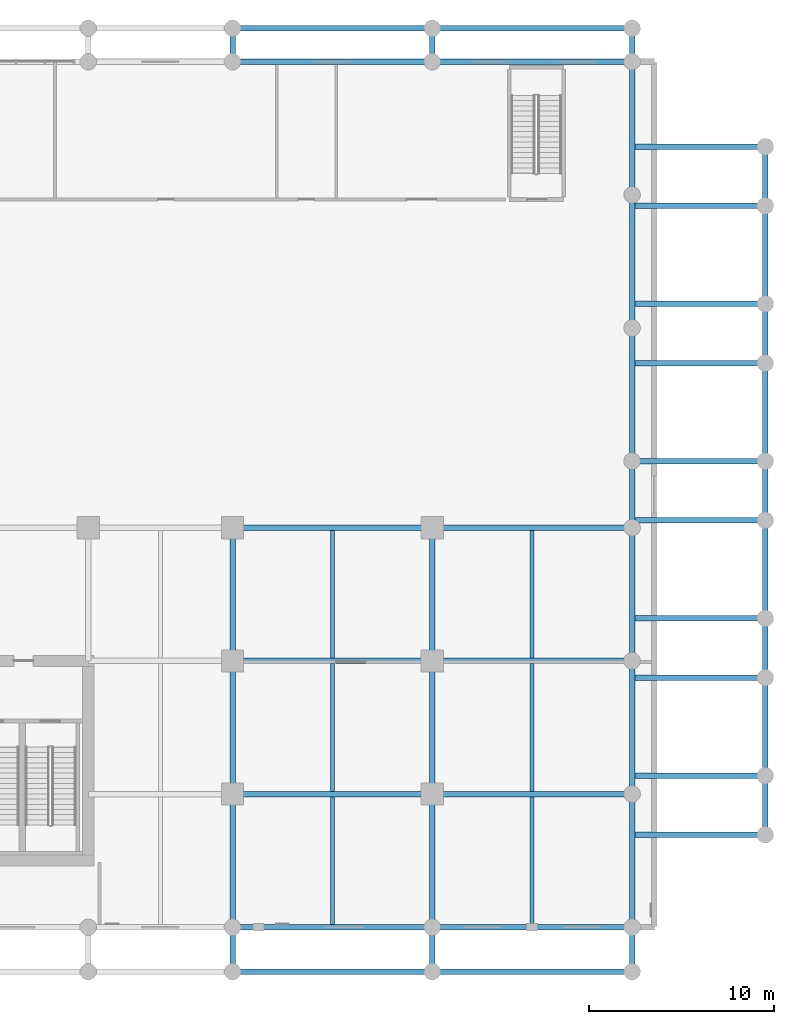
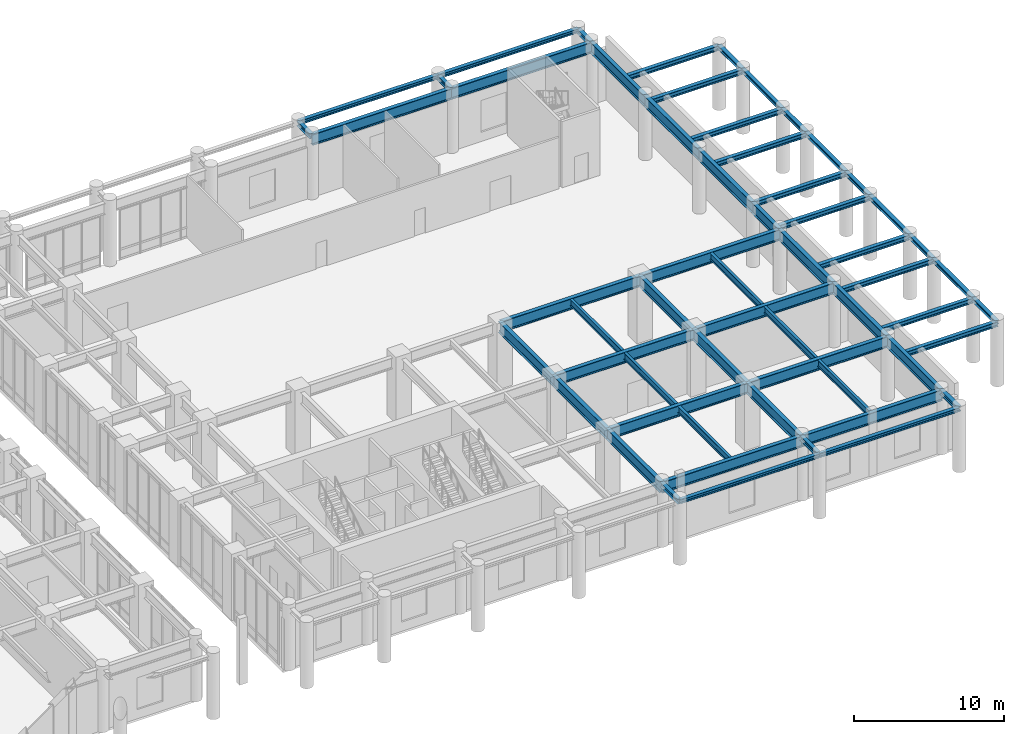
# One storey, part 9 of 23: 58 beams.
"""IFC4 building model written with IfcOpenShell, lengths in metres."""

from ifc_helpers import new_model, si_unit, derived_unit, direction, frame, origin, origin_2d, place, context, subcontext, project, spatial, i_section, extrude, source, transform, mapped, material, material_profile, profile_set, type_object, type_shapes, element, save


model = new_model("IFC4")

# Units and contexts
model_context = context("Model", 3, precision=1e-05, world=origin(), true_north=direction((0.0, 1.0)))
body_context = subcontext(model_context, "Body", "Model", "MODEL_VIEW")
ifc_project = project(units=[si_unit("LENGTHUNIT", "METRE"), si_unit("AREAUNIT", "SQUARE_METRE"), si_unit("VOLUMEUNIT", "CUBIC_METRE"), si_unit("PLANEANGLEUNIT", "RADIAN"), si_unit("MASSUNIT", "GRAM", prefix="KILO"), si_unit("THERMODYNAMICTEMPERATUREUNIT", "KELVIN"), si_unit("POWERUNIT", "WATT"), derived_unit("THERMALTRANSMITTANCEUNIT", [(si_unit("POWERUNIT", "WATT"), 1), (si_unit("AREAUNIT", "SQUARE_METRE"), -1), (si_unit("THERMODYNAMICTEMPERATUREUNIT", "KELVIN"), -1)])], contexts=[model_context])

# Site, building, storey
site_placement = place(None, origin())
site = spatial("IfcSite", under=ifc_project, at=site_placement, CompositionType="ELEMENT")
building_placement = place(site_placement, origin())
building = spatial("IfcBuilding", under=site, at=building_placement, Name="Zahravan Archway Hotel and Residences", CompositionType="ELEMENT")
storey_placement = place(building_placement, frame((0.0, 0.0, 5.39990234375)))
storey = spatial("IfcBuildingStorey", under=building, at=storey_placement, Name="L01", CompositionType="ELEMENT", Elevation=5.39990234375)

# Beams
ifc_material_1 = material(Name="Structural Steel S355J2", Category="steel")
ifc_material_profile_1 = material_profile(ifc_material_1, i_section(OverallWidth=0.300048828125, OverallDepth=0.89990234375, WebThickness=0.0185546875, FlangeThickness=0.034912109375, FilletRadius=0.030029296875, at=origin_2d()), Name="HEB 900", Category="steel")
ifc_profile_set_1 = profile_set([ifc_material_profile_1], Name="Structural Steel S355J2")
beam_type_1 = type_object("IfcBeamType", Name="BM-PRI-HEB900", PredefinedType="BEAM", material=ifc_profile_set_1)
shared_shape_1 = source(origin(), body_context, "Body", "SweptSolid", [
    extrude(i_section(OverallWidth=0.300048828125, OverallDepth=0.89990234375, WebThickness=0.0185546875, FlangeThickness=0.034912109375, FilletRadius=0.030029296875, at=origin_2d()), origin(), (0.0, 0.0, 1.0), 7.199951171875),
])
for number, where, z_axis, x_axis, name in (
    (1, (57.60009765625, 0.0, 4.650146484375), (0.0, 1.0, 0.0), (-1.0, 0.0, 0.0), "L01 Primary Girder NS-109"),
    (2, (57.60009765625, 7.199951171875, 4.650146484375), (0.0, 1.0, 0.0), (-1.0, 0.0, 0.0), "L01 Primary Girder NS-110"),
    (3, (68.39990234375, 0.0, 4.650146484375), (0.0, 1.0, 0.0), (-1.0, 0.0, 0.0), "L01 Primary Girder NS-112"),
    (4, (68.39990234375, 7.199951171875, 4.650146484375), (0.0, 1.0, 0.0), (-1.0, 0.0, 0.0), "L01 Primary Girder NS-113"),
    (5, (79.199951171875, 0.0, 4.650146484375), (0.0, 1.0, 0.0), (-1.0, 0.0, 0.0), "L01 Primary Girder NS-115"),
    (6, (79.199951171875, 7.199951171875, 4.650146484375), (0.0, 1.0, 0.0), (-1.0, 0.0, 0.0), "L01 Primary Girder NS-116"),
    (7, (79.199951171875, 25.199951171875, 4.650146484375), (0.0, 1.0, 0.0), (-1.0, 0.0, 0.0), "L01 Primary Girder NS-119"),
    (8, (79.199951171875, 39.60009765625, 4.650146484375), (0.0, 1.0, 0.0), (-1.0, 0.0, 0.0), "L01 Primary Girder NS-121"),
):
    element("IfcBeam", number, at=place(storey_placement, frame(where, z_axis=z_axis, x_axis=x_axis)), inside=storey, type_object=beam_type_1, Name=name, PredefinedType="BEAM", context=body_context, shape_type="MappedRepresentation", body=[
        mapped(shared_shape_1, transform((0.0, 0.0, 0.0), scale=1.0)),
    ])
shared_shape_2 = source(origin(), body_context, "Body", "SweptSolid", [
    extrude(i_section(OverallWidth=0.300048828125, OverallDepth=0.89990234375, WebThickness=0.0185546875, FlangeThickness=0.034912109375, FilletRadius=0.030029296875, at=origin_2d()), origin(), (0.0, 0.0, 1.0), 7.2001953125),
])
for number, where, z_axis, x_axis, name in (
    (9, (57.60009765625, 14.39990234375, 4.650146484375), (0.0, 1.0, 0.0), (-1.0, 0.0, 0.0), "L01 Primary Girder NS-111"),
    (10, (68.39990234375, 14.39990234375, 4.650146484375), (0.0, 1.0, 0.0), (-1.0, 0.0, 0.0), "L01 Primary Girder NS-114"),
    (11, (79.199951171875, 14.39990234375, 4.650146484375), (0.0, 1.0, 0.0), (-1.0, 0.0, 0.0), "L01 Primary Girder NS-117"),
    (12, (79.199951171875, 32.39990234375, 4.650146484375), (0.0, 1.0, 0.0), (-1.0, 0.0, 0.0), "L01 Primary Girder NS-120"),
):
    element("IfcBeam", number, at=place(storey_placement, frame(where, z_axis=z_axis, x_axis=x_axis)), inside=storey, type_object=beam_type_1, Name=name, PredefinedType="BEAM", context=body_context, shape_type="MappedRepresentation", body=[
        mapped(shared_shape_2, transform((0.0, 0.0, 0.0), scale=1.0)),
    ])
shared_shape_3 = source(origin(), body_context, "Body", "SweptSolid", [
    extrude(i_section(OverallWidth=0.300048828125, OverallDepth=0.89990234375, WebThickness=0.0185546875, FlangeThickness=0.034912109375, FilletRadius=0.030029296875, at=origin_2d()), origin(), (0.0, 0.0, 1.0), 10.7998046875),
])
for number, where, z_axis, x_axis, name in (
    (13, (57.60009765625, 0.0, 4.650146484375), (1.0, 0.0, 0.0), (0.0, 1.0, 0.0), "L01 Primary Girder EW-09"),
    (14, (57.60009765625, 7.199951171875, 4.650146484375), (1.0, 0.0, 0.0), (0.0, 1.0, 0.0), "L01 Primary Girder EW-17"),
    (15, (57.60009765625, 14.39990234375, 4.650146484375), (1.0, 0.0, 0.0), (0.0, 1.0, 0.0), "L01 Primary Girder EW-25"),
    (16, (57.60009765625, 21.60009765625, 4.650146484375), (1.0, 0.0, 0.0), (0.0, 1.0, 0.0), "L01 Primary Girder EW-35"),
    (17, (57.60009765625, 46.800048828125, 4.650146484375), (1.0, 0.0, 0.0), (0.0, 1.0, 0.0), "L01 Primary Girder EW-60"),
):
    element("IfcBeam", number, at=place(storey_placement, frame(where, z_axis=z_axis, x_axis=x_axis)), inside=storey, type_object=beam_type_1, Name=name, PredefinedType="BEAM", context=body_context, shape_type="MappedRepresentation", body=[
        mapped(shared_shape_3, transform((0.0, 0.0, 0.0), scale=1.0)),
    ])
shared_shape_4 = source(origin(), body_context, "Body", "SweptSolid", [
    extrude(i_section(OverallWidth=0.300048828125, OverallDepth=0.89990234375, WebThickness=0.0185546875, FlangeThickness=0.034912109375, FilletRadius=0.030029296875, at=origin_2d()), origin(), (0.0, 0.0, 1.0), 10.800048828125),
])
for number, where, z_axis, x_axis, name in (
    (18, (68.39990234375, 0.0, 4.650146484375), (1.0, 0.0, 0.0), (0.0, 1.0, 0.0), "L01 Primary Girder EW-10"),
    (19, (68.39990234375, 7.199951171875, 4.650146484375), (1.0, 0.0, 0.0), (0.0, 1.0, 0.0), "L01 Primary Girder EW-18"),
    (20, (68.39990234375, 14.39990234375, 4.650146484375), (1.0, 0.0, 0.0), (0.0, 1.0, 0.0), "L01 Primary Girder EW-26"),
    (21, (68.39990234375, 21.60009765625, 4.650146484375), (1.0, 0.0, 0.0), (0.0, 1.0, 0.0), "L01 Primary Girder EW-36"),
    (22, (68.39990234375, 46.800048828125, 4.650146484375), (1.0, 0.0, 0.0), (0.0, 1.0, 0.0), "L01 Primary Girder EW-61"),
):
    element("IfcBeam", number, at=place(storey_placement, frame(where, z_axis=z_axis, x_axis=x_axis)), inside=storey, type_object=beam_type_1, Name=name, PredefinedType="BEAM", context=body_context, shape_type="MappedRepresentation", body=[
        mapped(shared_shape_4, transform((0.0, 0.0, 0.0), scale=1.0)),
    ])
shared_shape_5 = source(origin(), body_context, "Body", "SweptSolid", [
    extrude(i_section(OverallWidth=0.300048828125, OverallDepth=0.89990234375, WebThickness=0.0185546875, FlangeThickness=0.034912109375, FilletRadius=0.030029296875, at=origin_2d()), origin(), (0.0, 0.0, 1.0), 3.599853515625),
])
beam_placement = place(storey_placement, frame((79.199951171875, 21.60009765625, 4.650146484375), z_axis=(0.0, 1.0, 0.0), x_axis=(-1.0, 0.0, 0.0)))
element("IfcBeam", 23, at=beam_placement, inside=storey, type_object=beam_type_1, Name="L01 Primary Girder NS-118", PredefinedType="BEAM", context=body_context, shape_type="MappedRepresentation", body=[
    mapped(shared_shape_5, transform((0.0, 0.0, 0.0), scale=1.0)),
])
ifc_material_2 = material(Name="Structural Steel S355JR", Category="steel")
ifc_material_profile_2 = material_profile(ifc_material_2, i_section(OverallWidth=0.2099609375, OverallDepth=0.550048828125, WebThickness=0.010986328125, FlangeThickness=0.01708984375, FilletRadius=0.02392578125, at=origin_2d()), Name="IPE 550", Category="steel")
ifc_profile_set_2 = profile_set([ifc_material_profile_2], Name="Structural Steel S355JR")
beam_type_2 = type_object("IfcBeamType", Name="BM-JST-IPE550", PredefinedType="JOIST", material=ifc_profile_set_2)
shared_shape_6 = source(origin(), body_context, "Body", "SweptSolid", [
    extrude(i_section(OverallWidth=0.2099609375, OverallDepth=0.550048828125, WebThickness=0.010986328125, FlangeThickness=0.01708984375, FilletRadius=0.02392578125, at=origin_2d()), origin(), (0.0, 0.0, 1.0), 6.904052734375),
])
type_shapes(beam_type_2, [shared_shape_6])
for number, where, z_axis, x_axis, name in (
    (24, (63.0, 0.14794921875, 4.8251953125), (0.0, 1.0, 0.0), (-1.0, 0.0, 0.0), "L01 Composite Floor Joist 07"),
    (25, (73.800048828125, 0.14794921875, 4.8251953125), (0.0, 1.0, 0.0), (-1.0, 0.0, 0.0), "L01 Composite Floor Joist 08"),
    (26, (63.0, 7.347900390625, 4.8251953125), (0.0, 1.0, 0.0), (-1.0, 0.0, 0.0), "L01 Composite Floor Joist 15"),
    (27, (73.800048828125, 7.347900390625, 4.8251953125), (0.0, 1.0, 0.0), (-1.0, 0.0, 0.0), "L01 Composite Floor Joist 16"),
):
    element("IfcBeam", number, at=place(storey_placement, frame(where, z_axis=z_axis, x_axis=x_axis)), inside=storey, type_object=beam_type_2, Name=name, PredefinedType="JOIST", context=body_context, shape_type="MappedRepresentation", body=[
        mapped(shared_shape_6, transform((0.0, 0.0, 0.0), scale=1.0)),
    ])
shared_shape_7 = source(origin(), body_context, "Body", "SweptSolid", [
    extrude(i_section(OverallWidth=0.2099609375, OverallDepth=0.550048828125, WebThickness=0.010986328125, FlangeThickness=0.01708984375, FilletRadius=0.02392578125, at=origin_2d()), origin(), (0.0, 0.0, 1.0), 6.90380859375),
])
for number, where, z_axis, x_axis, name in (
    (28, (63.0, 14.548095703125, 4.8251953125), (0.0, 1.0, 0.0), (-1.0, 0.0, 0.0), "L01 Composite Floor Joist 23"),
    (29, (73.800048828125, 14.548095703125, 4.8251953125), (0.0, 1.0, 0.0), (-1.0, 0.0, 0.0), "L01 Composite Floor Joist 24"),
):
    element("IfcBeam", number, at=place(storey_placement, frame(where, z_axis=z_axis, x_axis=x_axis)), inside=storey, type_object=beam_type_2, Name=name, PredefinedType="JOIST", context=body_context, shape_type="MappedRepresentation", body=[
        mapped(shared_shape_7, transform((0.0, 0.0, 0.0), scale=1.0)),
    ])
ifc_material_profile_3 = material_profile(ifc_material_2, i_section(OverallWidth=0.300048828125, OverallDepth=0.39990234375, WebThickness=0.013427734375, FlangeThickness=0.02392578125, FilletRadius=0.027099609375, at=origin_2d()), Name="HEB 400", Category="steel")
ifc_profile_set_3 = profile_set([ifc_material_profile_3], Name="Structural Steel S355JR")
beam_type_3 = type_object("IfcBeamType", Name="BM-PRI-HEB400", PredefinedType="BEAM", material=ifc_profile_set_3)
shared_shape_8 = source(origin(), body_context, "Body", "SweptSolid", [
    extrude(i_section(OverallWidth=0.300048828125, OverallDepth=0.39990234375, WebThickness=0.013427734375, FlangeThickness=0.02392578125, FilletRadius=0.027099609375, at=origin_2d()), origin(), (0.0, 0.0, 1.0), 7.199951171875),
])
type_shapes(beam_type_3, [shared_shape_8])
for number, where, z_axis, x_axis, name in (
    (30, (79.199951171875, 5.0, 4.900146484375), (1.0, 0.0, 0.0), (0.0, 1.0, 0.0), "L01 East Colonnade Tie Girder 1"),
    (31, (79.199951171875, 8.199951171875, 4.900146484375), (1.0, 0.0, 0.0), (0.0, 1.0, 0.0), "L01 East Colonnade Tie Girder 2"),
    (32, (79.199951171875, 13.5, 4.900146484375), (1.0, 0.0, 0.0), (0.0, 1.0, 0.0), "L01 East Colonnade Tie Girder 3"),
    (33, (79.199951171875, 16.699951171875, 4.900146484375), (1.0, 0.0, 0.0), (0.0, 1.0, 0.0), "L01 East Colonnade Tie Girder 4"),
    (34, (79.199951171875, 22.0, 4.900146484375), (1.0, 0.0, 0.0), (0.0, 1.0, 0.0), "L01 East Colonnade Tie Girder 5"),
    (35, (79.199951171875, 25.199951171875, 4.900146484375), (1.0, 0.0, 0.0), (0.0, 1.0, 0.0), "L01 East Colonnade Tie Girder 6"),
    (36, (79.199951171875, 30.5, 4.900146484375), (1.0, 0.0, 0.0), (0.0, 1.0, 0.0), "L01 East Colonnade Tie Girder 7"),
    (37, (79.199951171875, 33.699951171875, 4.900146484375), (1.0, 0.0, 0.0), (0.0, 1.0, 0.0), "L01 East Colonnade Tie Girder 8"),
    (38, (79.199951171875, 39.0, 4.900146484375), (1.0, 0.0, 0.0), (0.0, 1.0, 0.0), "L01 East Colonnade Tie Girder 9"),
    (39, (79.199951171875, 42.199951171875, 4.900146484375), (1.0, 0.0, 0.0), (0.0, 1.0, 0.0), "L01 East Colonnade Tie Girder 10"),
):
    element("IfcBeam", number, at=place(storey_placement, frame(where, z_axis=z_axis, x_axis=x_axis)), inside=storey, type_object=beam_type_3, Name=name, PredefinedType="BEAM", context=body_context, shape_type="MappedRepresentation", body=[
        mapped(shared_shape_8, transform((0.0, 0.0, 0.0), scale=1.0)),
    ])
shared_shape_9 = source(origin(), body_context, "Body", "SweptSolid", [
    extrude(i_section(OverallWidth=0.300048828125, OverallDepth=0.39990234375, WebThickness=0.013427734375, FlangeThickness=0.02392578125, FilletRadius=0.027099609375, at=origin_2d()), origin(), (0.0, 0.0, 1.0), 2.39990234375),
])
for number, where, z_axis, x_axis, name in (
    (40, (57.60009765625, -2.39990234375, 4.900146484375), (0.0, 1.0, 0.0), (-1.0, 0.0, 0.0), "L01 South Colonnade Tie Girder 9"),
    (41, (68.39990234375, -2.39990234375, 4.900146484375), (0.0, 1.0, 0.0), (-1.0, 0.0, 0.0), "L01 South Colonnade Tie Girder 10"),
    (42, (79.199951171875, -2.39990234375, 4.900146484375), (0.0, 1.0, 0.0), (-1.0, 0.0, 0.0), "L01 South Colonnade Tie Girder 11"),
):
    element("IfcBeam", number, at=place(storey_placement, frame(where, z_axis=z_axis, x_axis=x_axis)), inside=storey, type_object=beam_type_3, Name=name, PredefinedType="BEAM", context=body_context, shape_type="MappedRepresentation", body=[
        mapped(shared_shape_9, transform((0.0, 0.0, 0.0), scale=1.0)),
    ])
shared_shape_10 = source(origin(), body_context, "Body", "SweptSolid", [
    extrude(i_section(OverallWidth=0.300048828125, OverallDepth=0.39990234375, WebThickness=0.013427734375, FlangeThickness=0.02392578125, FilletRadius=0.027099609375, at=origin_2d()), origin(), (0.0, 0.0, 1.0), 1.800048828125),
])
for number, where, z_axis, x_axis, name in (
    (43, (57.60009765625, 46.800048828125, 4.900146484375), (0.0, 1.0, 0.0), (-1.0, 0.0, 0.0), "L01 North Colonnade Tie Girder 9"),
    (44, (68.39990234375, 46.800048828125, 4.900146484375), (0.0, 1.0, 0.0), (-1.0, 0.0, 0.0), "L01 North Colonnade Tie Girder 10"),
    (45, (79.199951171875, 46.800048828125, 4.900146484375), (0.0, 1.0, 0.0), (-1.0, 0.0, 0.0), "L01 North Colonnade Tie Girder 11"),
):
    element("IfcBeam", number, at=place(storey_placement, frame(where, z_axis=z_axis, x_axis=x_axis)), inside=storey, type_object=beam_type_3, Name=name, PredefinedType="BEAM", context=body_context, shape_type="MappedRepresentation", body=[
        mapped(shared_shape_10, transform((0.0, 0.0, 0.0), scale=1.0)),
    ])
ifc_material_profile_4 = material_profile(ifc_material_2, i_section(OverallWidth=0.300048828125, OverallDepth=0.320068359375, WebThickness=0.011474609375, FlangeThickness=0.0205078125, FilletRadius=0.027099609375, at=origin_2d()), Name="HEB 320", Category="steel")
ifc_profile_set_4 = profile_set([ifc_material_profile_4], Name="Structural Steel S355JR")
beam_type_4 = type_object("IfcBeamType", Name="BM-SPN-HEB320", PredefinedType="SPANDREL", material=ifc_profile_set_4)
shared_shape_11 = source(origin(), body_context, "Body", "SweptSolid", [
    extrude(i_section(OverallWidth=0.300048828125, OverallDepth=0.320068359375, WebThickness=0.011474609375, FlangeThickness=0.0205078125, FilletRadius=0.027099609375, at=origin_2d()), origin(), (0.0, 0.0, 1.0), 10.7998046875),
])
for number, where, z_axis, x_axis, name in (
    (46, (57.60009765625, -2.39990234375, 4.940185546875), (1.0, 0.0, 0.0), (0.0, 1.0, 0.0), "L01 South Colonnade Spandrel 9"),
    (47, (57.60009765625, 48.60009765625, 4.940185546875), (1.0, 0.0, 0.0), (0.0, 1.0, 0.0), "L01 North Colonnade Spandrel 9"),
):
    element("IfcBeam", number, at=place(storey_placement, frame(where, z_axis=z_axis, x_axis=x_axis)), inside=storey, type_object=beam_type_4, Name=name, PredefinedType="SPANDREL", context=body_context, shape_type="MappedRepresentation", body=[
        mapped(shared_shape_11, transform((0.0, 0.0, 0.0), scale=1.0)),
    ])
shared_shape_12 = source(origin(), body_context, "Body", "SweptSolid", [
    extrude(i_section(OverallWidth=0.300048828125, OverallDepth=0.320068359375, WebThickness=0.011474609375, FlangeThickness=0.0205078125, FilletRadius=0.027099609375, at=origin_2d()), origin(), (0.0, 0.0, 1.0), 10.800048828125),
])
for number, where, z_axis, x_axis, name in (
    (48, (68.39990234375, -2.39990234375, 4.940185546875), (1.0, 0.0, 0.0), (0.0, 1.0, 0.0), "L01 South Colonnade Spandrel 10"),
    (49, (68.39990234375, 48.60009765625, 4.940185546875), (1.0, 0.0, 0.0), (0.0, 1.0, 0.0), "L01 North Colonnade Spandrel 10"),
):
    element("IfcBeam", number, at=place(storey_placement, frame(where, z_axis=z_axis, x_axis=x_axis)), inside=storey, type_object=beam_type_4, Name=name, PredefinedType="SPANDREL", context=body_context, shape_type="MappedRepresentation", body=[
        mapped(shared_shape_12, transform((0.0, 0.0, 0.0), scale=1.0)),
    ])
shared_shape_13 = source(origin(), body_context, "Body", "SweptSolid", [
    extrude(i_section(OverallWidth=0.300048828125, OverallDepth=0.320068359375, WebThickness=0.011474609375, FlangeThickness=0.0205078125, FilletRadius=0.027099609375, at=origin_2d()), origin(), (0.0, 0.0, 1.0), 3.199951171875),
])
for number, where, z_axis, x_axis, name in (
    (50, (86.39990234375, 5.0, 4.940185546875), (0.0, 1.0, 0.0), (-1.0, 0.0, 0.0), "L01 East Colonnade Spandrel 1"),
    (51, (86.39990234375, 13.5, 4.940185546875), (0.0, 1.0, 0.0), (-1.0, 0.0, 0.0), "L01 East Colonnade Spandrel 3"),
    (52, (86.39990234375, 22.0, 4.940185546875), (0.0, 1.0, 0.0), (-1.0, 0.0, 0.0), "L01 East Colonnade Spandrel 5"),
    (53, (86.39990234375, 30.5, 4.940185546875), (0.0, 1.0, 0.0), (-1.0, 0.0, 0.0), "L01 East Colonnade Spandrel 7"),
    (54, (86.39990234375, 39.0, 4.940185546875), (0.0, 1.0, 0.0), (-1.0, 0.0, 0.0), "L01 East Colonnade Spandrel 9"),
):
    element("IfcBeam", number, at=place(storey_placement, frame(where, z_axis=z_axis, x_axis=x_axis)), inside=storey, type_object=beam_type_4, Name=name, PredefinedType="SPANDREL", context=body_context, shape_type="MappedRepresentation", body=[
        mapped(shared_shape_13, transform((0.0, 0.0, 0.0), scale=1.0)),
    ])
shared_shape_14 = source(origin(), body_context, "Body", "SweptSolid", [
    extrude(i_section(OverallWidth=0.300048828125, OverallDepth=0.320068359375, WebThickness=0.011474609375, FlangeThickness=0.0205078125, FilletRadius=0.027099609375, at=origin_2d()), origin(), (0.0, 0.0, 1.0), 5.300048828125),
])
for number, where, z_axis, x_axis, name in (
    (55, (86.39990234375, 8.199951171875, 4.940185546875), (0.0, 1.0, 0.0), (-1.0, 0.0, 0.0), "L01 East Colonnade Spandrel 2"),
    (56, (86.39990234375, 16.699951171875, 4.940185546875), (0.0, 1.0, 0.0), (-1.0, 0.0, 0.0), "L01 East Colonnade Spandrel 4"),
    (57, (86.39990234375, 25.199951171875, 4.940185546875), (0.0, 1.0, 0.0), (-1.0, 0.0, 0.0), "L01 East Colonnade Spandrel 6"),
    (58, (86.39990234375, 33.699951171875, 4.940185546875), (0.0, 1.0, 0.0), (-1.0, 0.0, 0.0), "L01 East Colonnade Spandrel 8"),
):
    element("IfcBeam", number, at=place(storey_placement, frame(where, z_axis=z_axis, x_axis=x_axis)), inside=storey, type_object=beam_type_4, Name=name, PredefinedType="SPANDREL", context=body_context, shape_type="MappedRepresentation", body=[
        mapped(shared_shape_14, transform((0.0, 0.0, 0.0), scale=1.0)),
    ])

save(model, "model.ifc")
